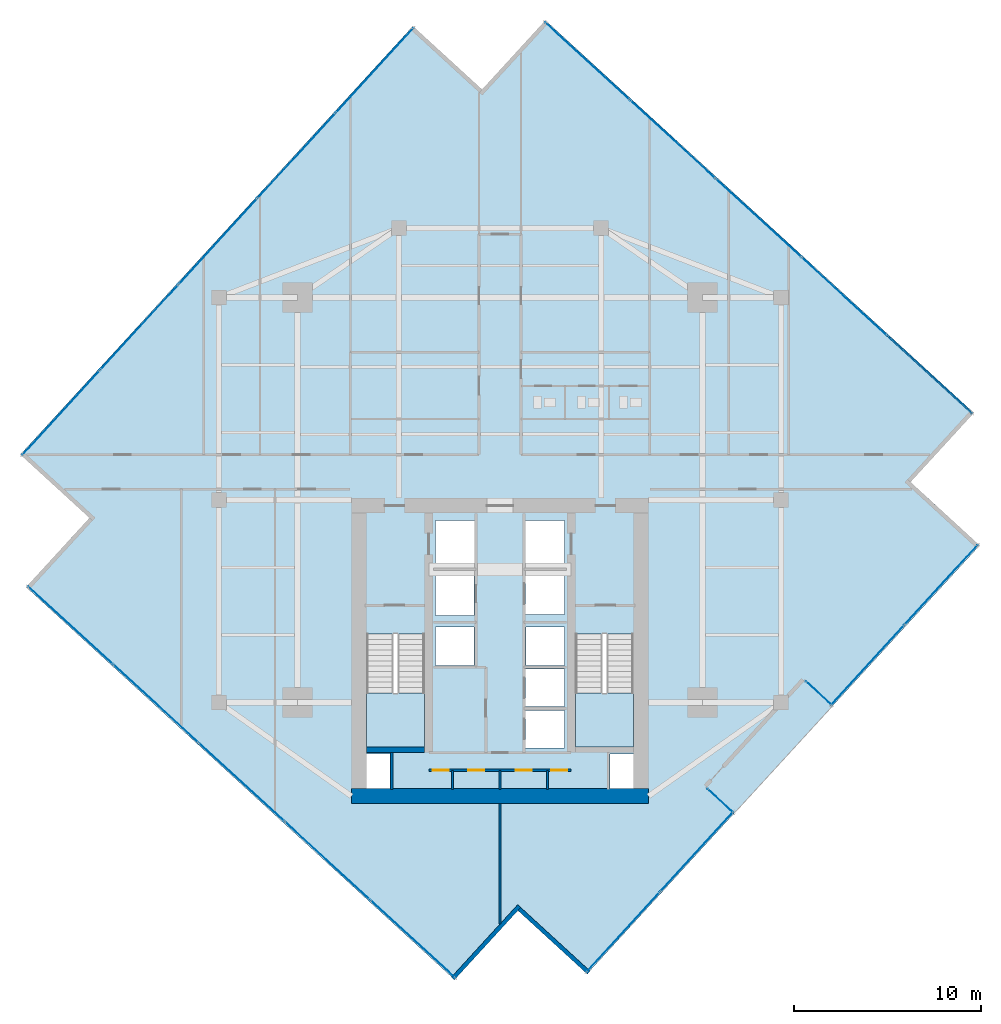
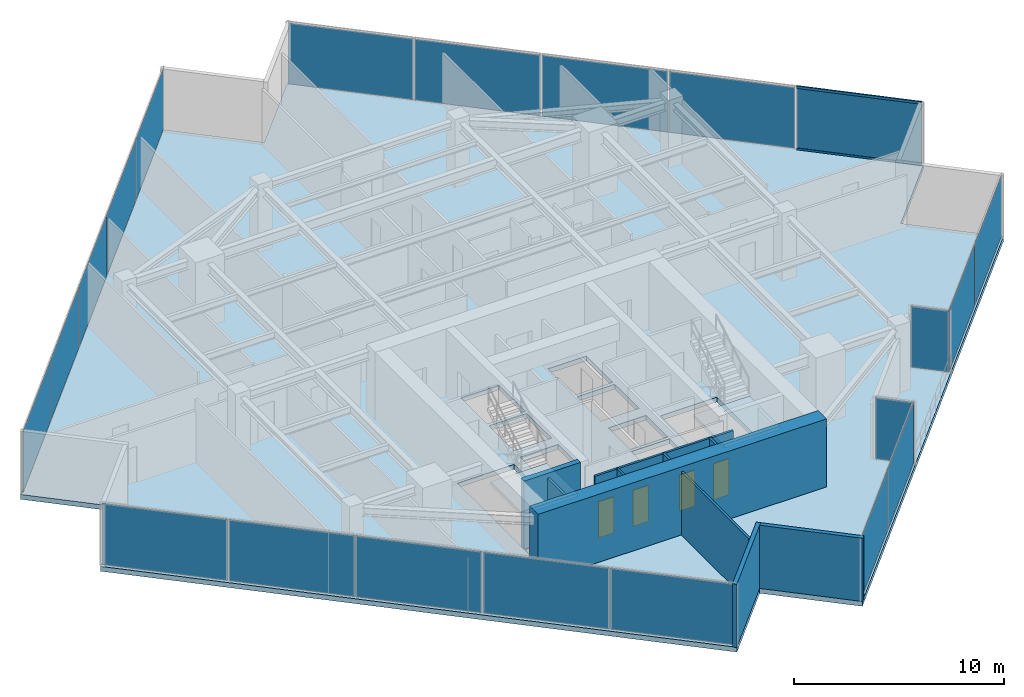
# One storey, part 21 of 26: 21 plates, 10 walls, 4 doors, 3 slabs, 2 members, 4 openings, 9 elements without a shape of their own.
"""IFC4 building model written with IfcOpenShell, lengths in metres."""

from ifc_helpers import new_model, si_unit, direction, frame, frame_2d, origin, origin_2d, place, context, subcontext, project, spatial, polyline, rectangle, hollow_rectangle, outline, extrude, source, transform, mapped, material, layer, layer_set, material_profile, profile_set, type_object, type_shapes, element, fill, aggregate, save


model = new_model("IFC4")

# Units and contexts
model_context = context("Model", 3, precision=1e-05, world=origin(), true_north=direction((0.0, 1.0)))
body_context = subcontext(model_context, "Body", "Model", "MODEL_VIEW")
ifc_project = project(units=[si_unit("LENGTHUNIT", "METRE"), si_unit("AREAUNIT", "SQUARE_METRE"), si_unit("VOLUMEUNIT", "CUBIC_METRE"), si_unit("PLANEANGLEUNIT", "RADIAN"), si_unit("MASSUNIT", "GRAM", prefix="KILO")], contexts=[model_context])

# Site, building, storey
site_placement = place(None, origin())
site = spatial("IfcSite", under=ifc_project, at=site_placement, CompositionType="ELEMENT")
building_placement = place(site_placement, origin())
building = spatial("IfcBuilding", under=site, at=building_placement, Name="Krantzveldt Concourse Tower", CompositionType="ELEMENT")
storey_placement = place(building_placement, frame((0.0, 0.0, 219.14990234375)))
storey = spatial("IfcBuildingStorey", under=building, at=storey_placement, Name="L53", CompositionType="ELEMENT", Elevation=219.14990234375)

# Curtain wall, members
ifc_material_1 = material(Name="Anodised aluminium 6063-T6", Category="aluminium")
curtain_wall_type_1 = type_object("IfcCurtainWallType", Name="CW3", PredefinedType="USERDEFINED", material=ifc_material_1)
curtain_wall_1_placement = place(storey_placement, origin())
curtain_wall_1 = element("IfcCurtainWall", 1, at=curtain_wall_1_placement, inside=storey, type_object=curtain_wall_type_1, Name="CW-L53-F14", ObjectType="UNITISED CURTAIN WALL", PredefinedType="USERDEFINED")
ifc_material_profile = material_profile(ifc_material_1, hollow_rectangle(XDim=0.070068359375, YDim=0.139892578125, WallThickness=0.0048828125, at=origin_2d()), Name="Anodised aluminium 6063-T6", Category="aluminium")
ifc_profile_set = profile_set([ifc_material_profile], Name="Anodised aluminium 6063-T6 - ALU-TRAN 140x70x5")
member_type = type_object("IfcMemberType", Name="CW-TRN-150", PredefinedType="USERDEFINED", material=ifc_profile_set)
shared_shape_1 = source(origin(), body_context, "Body", "SweptSolid", [
    extrude(hollow_rectangle(XDim=0.070068359375, YDim=0.139892578125, WallThickness=0.0048828125, at=origin_2d()), origin(), (0.0, 0.0, 1.0), 6.094970703125),
])
type_shapes(member_type, [shared_shape_1])
member_1_placement = place(storey_placement, frame((61.1650390625, 31.323486328125, 0.03515625), z_axis=(-0.737277168993, 0.675590390755, 0.0), x_axis=(-0.675590390755, -0.737277168993, 0.0)))
member_1 = element("IfcMember", 2, at=member_1_placement, type_object=member_type, Name="CW-Z34 transom 1.1", ObjectType="TRANSOM", PredefinedType="USERDEFINED", context=body_context, shape_type="MappedRepresentation", body=[
    mapped(shared_shape_1, transform((0.0, 0.0, 0.0), x_axis=(1.0, 0.0, 0.0), y_axis=(0.0, 1.0, 0.0), z_axis=(0.0, 0.0, 1.0), scale=1.0)),
])
member_2_placement = place(storey_placement, frame((61.1650390625, 31.323486328125, 3.635009765625), z_axis=(-0.737277168993, 0.675590390755, 0.0), x_axis=(-0.675590390755, -0.737277168993, 0.0)))
member_2 = element("IfcMember", 3, at=member_2_placement, type_object=member_type, Name="CW-Z34 transom 1.2", ObjectType="TRANSOM", PredefinedType="USERDEFINED", context=body_context, shape_type="MappedRepresentation", body=[
    mapped(shared_shape_1, transform((0.0, 0.0, 0.0), x_axis=(1.0, 0.0, 0.0), y_axis=(0.0, 1.0, 0.0), z_axis=(0.0, 0.0, 1.0), scale=1.0)),
])

# Stair, slab
ifc_material_2 = material(Name="Precast concrete C40/50", Category="concrete")
stair_type = type_object("IfcStairType", Name="STR-CORE-DOGLEG", PredefinedType="HALF_TURN_STAIR", material=ifc_material_2)
stair_1_placement = place(storey_placement, origin())
stair_1 = element("IfcStair", 4, at=stair_1_placement, inside=storey, type_object=stair_type, Name="L53 Protected Escape Stair ST-1", PredefinedType="HALF_TURN_STAIR")
ifc_layer_1 = layer(ifc_material_2, 0.199951171875, Name="Precast concrete C40/50", Category="concrete")
ifc_layer_set_1 = layer_set([ifc_layer_1], Name="Precast concrete C40/50 (SL-LANDING-200)")
slab_type_1 = type_object("IfcSlabType", Name="SL-LANDING-200", PredefinedType="LANDING", material=ifc_layer_set_1)
slab_1_placement = place(storey_placement, frame((0.0, 0.0, 1.775146484375)))
slab_1 = element("IfcSlab", 5, at=slab_1_placement, type_object=slab_type_1, Name="ST-1 landing 1", PredefinedType="LANDING", context=body_context, shape_type="SweptSolid", body=[
    extrude(outline(polyline([(28.8798828125, 16.4150390625), (28.8798828125, 13.52001953125), (31.97998046875, 13.52001953125), (31.97998046875, 16.4150390625), (28.8798828125, 16.4150390625)])), origin(), (0.0, 0.0, 1.0), 0.199951171875),
])
aggregate(stair_1, [slab_1])

stair_2_placement = place(storey_placement, origin())
stair_2 = element("IfcStair", 6, at=stair_2_placement, inside=storey, type_object=stair_type, Name="L53 Protected Escape Stair ST-2", PredefinedType="HALF_TURN_STAIR")
slab_2_placement = place(storey_placement, frame((0.0, 0.0, 1.775146484375)))
slab_2 = element("IfcSlab", 7, at=slab_2_placement, type_object=slab_type_1, Name="ST-2 landing 1", PredefinedType="LANDING", context=body_context, shape_type="SweptSolid", body=[
    extrude(outline(polyline([(40.02001953125, 16.4150390625), (40.02001953125, 13.52001953125), (43.1201171875, 13.52001953125), (43.1201171875, 16.4150390625), (40.02001953125, 16.4150390625)])), origin(), (0.0, 0.0, 1.0), 0.199951171875),
])
aggregate(stair_2, [slab_2])

# Slab
ifc_material_3 = material(Name="Concrete C40/50", Category="concrete")
ifc_layer_2 = layer(ifc_material_3, 0.280029296875, Name="Concrete C40/50", Category="concrete")
ifc_layer_set_2 = layer_set([ifc_layer_2], Name="Concrete C40/50 (SL-SL-TER280)")
slab_type_2 = type_object("IfcSlabType", Name="SL-SL-TER280", PredefinedType="FLOOR", material=ifc_layer_set_2)
slab_3_placement = place(storey_placement, frame((0.0, 0.0, -0.27978515625)))
element("IfcSlab", 8, at=slab_3_placement, inside=storey, type_object=slab_type_2, Name="SL-L53-MAIN", PredefinedType="FLOOR", context=body_context, shape_type="SweptSolid", body=[
    extrude(outline(polyline([(35.0439453125, 48.599365234375), (31.357421875, 51.977294921875), (10.4140625, 29.121826171875), (14.1005859375, 25.743896484375), (10.72265625, 22.057373046875), (33.578125, 1.1142578125), (36.9560546875, 4.800537109375), (40.642578125, 1.422607421875), (61.5859375, 24.2783203125), (57.8994140625, 27.65625), (61.27734375, 31.342529296875), (38.421875, 52.285888671875), (35.0439453125, 48.599365234375)]), holes=[polyline([(28.8798828125, 19.547607421875), (28.8798828125, 13.52001953125), (31.97998046875, 13.52001953125), (31.97998046875, 19.547607421875), (28.8798828125, 19.547607421875)]), polyline([(40.02001953125, 19.547607421875), (40.02001953125, 13.52001953125), (43.1201171875, 13.52001953125), (43.1201171875, 19.547607421875), (40.02001953125, 19.547607421875)]), polyline([(32.550048828125, 23.10009765625), (34.64990234375, 23.10009765625), (34.64990234375, 25.60009765625), (32.550048828125, 25.60009765625), (32.550048828125, 23.10009765625)]), polyline([(37.35009765625, 23.10009765625), (39.449951171875, 23.10009765625), (39.449951171875, 25.60009765625), (37.35009765625, 25.60009765625), (37.35009765625, 23.10009765625)]), polyline([(37.35009765625, 20.60009765625), (39.449951171875, 20.60009765625), (39.449951171875, 22.89990234375), (37.35009765625, 22.89990234375), (37.35009765625, 20.60009765625)]), polyline([(37.35009765625, 13.47998046875), (39.449951171875, 13.47998046875), (39.449951171875, 15.47998046875), (37.35009765625, 15.47998046875), (37.35009765625, 13.47998046875)]), polyline([(37.35009765625, 15.679931640625), (39.449951171875, 15.679931640625), (39.449951171875, 17.679931640625), (37.35009765625, 17.679931640625), (37.35009765625, 15.679931640625)]), polyline([(32.550048828125, 20.550048828125), (34.6201171875, 20.550048828125), (34.6201171875, 22.89990234375), (32.550048828125, 22.89990234375), (32.550048828125, 20.550048828125)]), polyline([(32.550048828125, 17.8798828125), (34.6201171875, 17.8798828125), (34.6201171875, 19.919921875), (32.550048828125, 19.919921875), (32.550048828125, 17.8798828125)]), polyline([(37.3798828125, 17.8798828125), (39.449951171875, 17.8798828125), (39.449951171875, 19.919921875), (37.3798828125, 19.919921875), (37.3798828125, 17.8798828125)]), polyline([(28.8798828125, 11.320068359375), (30.139892578125, 11.320068359375), (30.139892578125, 13.159912109375), (28.8798828125, 13.159912109375), (28.8798828125, 11.320068359375)]), polyline([(41.860107421875, 11.320068359375), (43.1201171875, 11.320068359375), (43.1201171875, 13.159912109375), (41.860107421875, 13.159912109375), (41.860107421875, 11.320068359375)])]), origin(), (0.0, 0.0, 1.0), 0.27978515625),
])

# Curtain wall, plate
curtain_wall_type_2 = type_object("IfcCurtainWallType", Name="CW6", PredefinedType="USERDEFINED", material=ifc_material_1)
curtain_wall_2_placement = place(storey_placement, origin())
curtain_wall_2 = element("IfcCurtainWall", 9, at=curtain_wall_2_placement, inside=storey, type_object=curtain_wall_type_2, Name="CW-L53-TR08", ObjectType="UNITISED CURTAIN WALL", PredefinedType="USERDEFINED")
ifc_material_4 = material(Name="Bronze-tinted laminated low-E IGU glass", Category="glass")
ifc_layer_3 = layer(ifc_material_4, 0.031982421875, Name="Bronze-tinted laminated low-E IGU glass", Category="glass")
ifc_layer_set_3 = layer_set([ifc_layer_3], Name="Bronze-tinted laminated low-E IGU glass (CW-GLZ-32)")
plate_type = type_object("IfcPlateType", Name="CW-GLZ-32", PredefinedType="CURTAIN_PANEL", material=ifc_layer_set_3)
shared_shape_2 = source(origin(), body_context, "Body", "SweptSolid", [
    extrude(rectangle(XDim=1.860107421875, YDim=0.031982421875, at=origin_2d()), origin(), (0.0, 0.0, 1.0), 3.530029296875),
])
plate_1_placement = place(storey_placement, frame((47.748779296875, 10.657958984375, 0.0703125), z_axis=(0.0, 0.0, 1.0), x_axis=(-0.737276373651, 0.675591258718, 0.0)))
plate_1 = element("IfcPlate", 10, at=plate_1_placement, type_object=plate_type, Name="CW-TERR panel 1.1", PredefinedType="CURTAIN_PANEL", context=body_context, shape_type="MappedRepresentation", body=[
    mapped(shared_shape_2, transform((0.0, 0.0, 0.0), x_axis=(1.0, 0.0, 0.0), y_axis=(0.0, 1.0, 0.0), z_axis=(0.0, 0.0, 1.0), scale=1.0)),
])
aggregate(curtain_wall_2, [plate_1])

curtain_wall_3_placement = place(storey_placement, origin())
curtain_wall_3 = element("IfcCurtainWall", 11, at=curtain_wall_3_placement, inside=storey, type_object=curtain_wall_type_2, Name="CW-L53-TR10", ObjectType="UNITISED CURTAIN WALL", PredefinedType="USERDEFINED")
plate_2_placement = place(storey_placement, frame((53.0048828125, 16.39404296875, 0.0703125), z_axis=(0.0, 0.0, 1.0), x_axis=(0.737276165275, -0.675591486119, 0.0)))
plate_2 = element("IfcPlate", 12, at=plate_2_placement, type_object=plate_type, Name="CW-TERR panel 1.1", PredefinedType="CURTAIN_PANEL", context=body_context, shape_type="MappedRepresentation", body=[
    mapped(shared_shape_2, transform((0.0, 0.0, 0.0), x_axis=(1.0, 0.0, 0.0), y_axis=(0.0, 1.0, 0.0), z_axis=(0.0, 0.0, 1.0), scale=1.0)),
])
aggregate(curtain_wall_3, [plate_2])

# Curtain wall, plates
curtain_wall_4_placement = place(storey_placement, origin())
curtain_wall_4 = element("IfcCurtainWall", 13, at=curtain_wall_4_placement, inside=storey, type_object=curtain_wall_type_1, Name="CW-L53-F01", ObjectType="UNITISED CURTAIN WALL", PredefinedType="USERDEFINED")
shared_shape_3 = source(origin(), body_context, "Body", "SweptSolid", [
    extrude(rectangle(XDim=6.094970703125, YDim=0.031982421875, at=origin_2d()), origin(), (0.0, 0.0, 1.0), 3.530029296875),
])
plate_3_placement = place(storey_placement, frame((29.317626953125, 49.6181640625, 0.0703125), z_axis=(0.0, 0.0, 1.0), x_axis=(-0.675590053651, -0.737277477893, 0.0)))
plate_3 = element("IfcPlate", 14, at=plate_3_placement, type_object=plate_type, Name="CW-Z34 panel 1.1", PredefinedType="CURTAIN_PANEL", context=body_context, shape_type="MappedRepresentation", body=[
    mapped(shared_shape_3, transform((0.0, 0.0, 0.0), x_axis=(1.0, 0.0, 0.0), y_axis=(0.0, 1.0, 0.0), z_axis=(0.0, 0.0, 1.0), scale=1.0)),
])
plate_4_placement = place(storey_placement, frame((12.586669921875, 31.359375, 0.0703125), z_axis=(0.0, 0.0, 1.0), x_axis=(-0.675590053651, -0.737277477893, 0.0)))
plate_4 = element("IfcPlate", 15, at=plate_4_placement, type_object=plate_type, Name="CW-Z34 panel 5.1", PredefinedType="CURTAIN_PANEL", context=body_context, shape_type="MappedRepresentation", body=[
    mapped(shared_shape_3, transform((0.0, 0.0, 0.0), x_axis=(1.0, 0.0, 0.0), y_axis=(0.0, 1.0, 0.0), z_axis=(0.0, 0.0, 1.0), scale=1.0)),
])

curtain_wall_5_placement = place(storey_placement, origin())
curtain_wall_5 = element("IfcCurtainWall", 16, at=curtain_wall_5_placement, inside=storey, type_object=curtain_wall_type_1, Name="CW-L53-F04", ObjectType="UNITISED CURTAIN WALL", PredefinedType="USERDEFINED")
plate_5_placement = place(storey_placement, frame((13.081787109375, 20.017578125, 0.0703125), z_axis=(0.0, 0.0, 1.0), x_axis=(0.737277477893, -0.675590053651, 0.0)))
plate_5 = element("IfcPlate", 17, at=plate_5_placement, type_object=plate_type, Name="CW-Z34 panel 1.1", PredefinedType="CURTAIN_PANEL", context=body_context, shape_type="MappedRepresentation", body=[
    mapped(shared_shape_3, transform((0.0, 0.0, 0.0), x_axis=(1.0, 0.0, 0.0), y_axis=(0.0, 1.0, 0.0), z_axis=(0.0, 0.0, 1.0), scale=1.0)),
])
plate_6_placement = place(storey_placement, frame((31.340576171875, 3.28662109375, 0.0703125), z_axis=(0.0, 0.0, 1.0), x_axis=(0.737277477893, -0.675590053651, 0.0)))
plate_6 = element("IfcPlate", 18, at=plate_6_placement, type_object=plate_type, Name="CW-Z34 panel 5.1", PredefinedType="CURTAIN_PANEL", context=body_context, shape_type="MappedRepresentation", body=[
    mapped(shared_shape_3, transform((0.0, 0.0, 0.0), x_axis=(1.0, 0.0, 0.0), y_axis=(0.0, 1.0, 0.0), z_axis=(0.0, 0.0, 1.0), scale=1.0)),
])

# Plate
plate_7_placement = place(storey_placement, frame((58.918212890625, 33.38232421875, 0.0703125), z_axis=(0.0, 0.0, 1.0), x_axis=(-0.737277477893, 0.675590053651, 0.0)))
plate_7 = element("IfcPlate", 19, at=plate_7_placement, type_object=plate_type, Name="CW-Z34 panel 1.1", PredefinedType="CURTAIN_PANEL", context=body_context, shape_type="MappedRepresentation", body=[
    mapped(shared_shape_3, transform((0.0, 0.0, 0.0), x_axis=(1.0, 0.0, 0.0), y_axis=(0.0, 1.0, 0.0), z_axis=(0.0, 0.0, 1.0), scale=1.0)),
])

plate_8_placement = place(storey_placement, frame((40.659423828125, 50.11328125, 0.0703125), z_axis=(0.0, 0.0, 1.0), x_axis=(-0.737277477893, 0.675590053651, 0.0)))
plate_8 = element("IfcPlate", 20, at=plate_8_placement, type_object=plate_type, Name="CW-Z34 panel 5.1", PredefinedType="CURTAIN_PANEL", context=body_context, shape_type="MappedRepresentation", body=[
    mapped(shared_shape_3, transform((0.0, 0.0, 0.0), x_axis=(1.0, 0.0, 0.0), y_axis=(0.0, 1.0, 0.0), z_axis=(0.0, 0.0, 1.0), scale=1.0)),
])

shared_shape_4 = source(origin(), body_context, "Body", "SweptSolid", [
    extrude(rectangle(XDim=6.1298828125, YDim=0.031982421875, at=origin_2d()), origin(), (0.0, 0.0, 1.0), 3.530029296875),
])
plate_9_placement = place(storey_placement, frame((25.140869140625, 45.059814453125, 0.0703125), z_axis=(0.0, 0.0, 1.0), x_axis=(-0.675590053651, -0.737277477893, 0.0)))
plate_9 = element("IfcPlate", 21, at=plate_9_placement, type_object=plate_type, Name="CW-Z34 panel 2.1", PredefinedType="CURTAIN_PANEL", context=body_context, shape_type="MappedRepresentation", body=[
    mapped(shared_shape_4, transform((0.0, 0.0, 0.0), x_axis=(1.0, 0.0, 0.0), y_axis=(0.0, 1.0, 0.0), z_axis=(0.0, 0.0, 1.0), scale=1.0)),
])

plate_10_placement = place(storey_placement, frame((20.9521484375, 40.48876953125, 0.0703125), z_axis=(0.0, 0.0, 1.0), x_axis=(-0.675590053651, -0.737277477893, 0.0)))
plate_10 = element("IfcPlate", 22, at=plate_10_placement, type_object=plate_type, Name="CW-Z34 panel 3.1", PredefinedType="CURTAIN_PANEL", context=body_context, shape_type="MappedRepresentation", body=[
    mapped(shared_shape_4, transform((0.0, 0.0, 0.0), x_axis=(1.0, 0.0, 0.0), y_axis=(0.0, 1.0, 0.0), z_axis=(0.0, 0.0, 1.0), scale=1.0)),
])

plate_11_placement = place(storey_placement, frame((16.763427734375, 35.917724609375, 0.0703125), z_axis=(0.0, 0.0, 1.0), x_axis=(-0.675590053651, -0.737277477893, 0.0)))
plate_11 = element("IfcPlate", 23, at=plate_11_placement, type_object=plate_type, Name="CW-Z34 panel 4.1", PredefinedType="CURTAIN_PANEL", context=body_context, shape_type="MappedRepresentation", body=[
    mapped(shared_shape_4, transform((0.0, 0.0, 0.0), x_axis=(1.0, 0.0, 0.0), y_axis=(0.0, 1.0, 0.0), z_axis=(0.0, 0.0, 1.0), scale=1.0)),
])

aggregate(curtain_wall_4, [plate_3, plate_9, plate_10, plate_11, plate_4])

plate_12_placement = place(storey_placement, frame((17.64013671875, 15.8408203125, 0.0703125), z_axis=(0.0, 0.0, 1.0), x_axis=(0.737277477893, -0.675590053651, 0.0)))
plate_12 = element("IfcPlate", 24, at=plate_12_placement, type_object=plate_type, Name="CW-Z34 panel 2.1", PredefinedType="CURTAIN_PANEL", context=body_context, shape_type="MappedRepresentation", body=[
    mapped(shared_shape_4, transform((0.0, 0.0, 0.0), x_axis=(1.0, 0.0, 0.0), y_axis=(0.0, 1.0, 0.0), z_axis=(0.0, 0.0, 1.0), scale=1.0)),
])

plate_13_placement = place(storey_placement, frame((22.211181640625, 11.652099609375, 0.0703125), z_axis=(0.0, 0.0, 1.0), x_axis=(0.737277477893, -0.675590053651, 0.0)))
plate_13 = element("IfcPlate", 25, at=plate_13_placement, type_object=plate_type, Name="CW-Z34 panel 3.1", PredefinedType="CURTAIN_PANEL", context=body_context, shape_type="MappedRepresentation", body=[
    mapped(shared_shape_4, transform((0.0, 0.0, 0.0), x_axis=(1.0, 0.0, 0.0), y_axis=(0.0, 1.0, 0.0), z_axis=(0.0, 0.0, 1.0), scale=1.0)),
])

plate_14_placement = place(storey_placement, frame((26.7822265625, 7.463623046875, 0.0703125), z_axis=(0.0, 0.0, 1.0), x_axis=(0.737277477893, -0.675590053651, 0.0)))
plate_14 = element("IfcPlate", 26, at=plate_14_placement, type_object=plate_type, Name="CW-Z34 panel 4.1", PredefinedType="CURTAIN_PANEL", context=body_context, shape_type="MappedRepresentation", body=[
    mapped(shared_shape_4, transform((0.0, 0.0, 0.0), x_axis=(1.0, 0.0, 0.0), y_axis=(0.0, 1.0, 0.0), z_axis=(0.0, 0.0, 1.0), scale=1.0)),
])

aggregate(curtain_wall_5, [plate_5, plate_12, plate_13, plate_14, plate_6])

plate_15_placement = place(storey_placement, frame((54.35986328125, 37.55908203125, 0.0703125), z_axis=(0.0, 0.0, 1.0), x_axis=(-0.737277477893, 0.675590053651, 0.0)))
plate_15 = element("IfcPlate", 27, at=plate_15_placement, type_object=plate_type, Name="CW-Z34 panel 2.1", PredefinedType="CURTAIN_PANEL", context=body_context, shape_type="MappedRepresentation", body=[
    mapped(shared_shape_4, transform((0.0, 0.0, 0.0), x_axis=(1.0, 0.0, 0.0), y_axis=(0.0, 1.0, 0.0), z_axis=(0.0, 0.0, 1.0), scale=1.0)),
])

plate_16_placement = place(storey_placement, frame((49.788818359375, 41.747802734375, 0.0703125), z_axis=(0.0, 0.0, 1.0), x_axis=(-0.737277477893, 0.675590053651, 0.0)))
plate_16 = element("IfcPlate", 28, at=plate_16_placement, type_object=plate_type, Name="CW-Z34 panel 3.1", PredefinedType="CURTAIN_PANEL", context=body_context, shape_type="MappedRepresentation", body=[
    mapped(shared_shape_4, transform((0.0, 0.0, 0.0), x_axis=(1.0, 0.0, 0.0), y_axis=(0.0, 1.0, 0.0), z_axis=(0.0, 0.0, 1.0), scale=1.0)),
])

plate_17_placement = place(storey_placement, frame((45.2177734375, 45.9365234375, 0.0703125), z_axis=(0.0, 0.0, 1.0), x_axis=(-0.737277477893, 0.675590053651, 0.0)))
plate_17 = element("IfcPlate", 29, at=plate_17_placement, type_object=plate_type, Name="CW-Z34 panel 4.1", PredefinedType="CURTAIN_PANEL", context=body_context, shape_type="MappedRepresentation", body=[
    mapped(shared_shape_4, transform((0.0, 0.0, 0.0), x_axis=(1.0, 0.0, 0.0), y_axis=(0.0, 1.0, 0.0), z_axis=(0.0, 0.0, 1.0), scale=1.0)),
])

aggregate(curtain_wall_1, [member_1, member_2, plate_7, plate_15, plate_16, plate_17, plate_8])

# Curtain wall, plates
curtain_wall_6_placement = place(storey_placement, origin())
curtain_wall_6 = element("IfcCurtainWall", 30, at=curtain_wall_6_placement, inside=storey, type_object=curtain_wall_type_1, Name="CW-L53-F07", ObjectType="UNITISED CURTAIN WALL", PredefinedType="USERDEFINED")
shared_shape_5 = source(origin(), body_context, "Body", "SweptSolid", [
    extrude(rectangle(XDim=5.7451171875, YDim=0.031982421875, at=origin_2d()), origin(), (0.0, 0.0, 1.0), 3.530029296875),
])
type_shapes(plate_type, [shared_shape_2, shared_shape_3, shared_shape_4, shared_shape_5])
plate_18_placement = place(storey_placement, frame((42.564208984375, 3.65283203125, 0.0703125), z_axis=(0.0, 0.0, 1.0), x_axis=(0.675589735736, 0.737277769208, 0.0)))
plate_18 = element("IfcPlate", 31, at=plate_18_placement, type_object=plate_type, Name="CW-Z34 panel 1.1", PredefinedType="CURTAIN_PANEL", context=body_context, shape_type="MappedRepresentation", body=[
    mapped(shared_shape_5, transform((0.0, 0.0, 0.0), x_axis=(1.0, 0.0, 0.0), y_axis=(0.0, 1.0, 0.0), z_axis=(0.0, 0.0, 1.0), scale=1.0)),
])
plate_19_placement = place(storey_placement, frame((46.49267578125, 7.940185546875, 0.0703125), z_axis=(0.0, 0.0, 1.0), x_axis=(0.675589735736, 0.737277769208, 0.0)))
plate_19 = element("IfcPlate", 32, at=plate_19_placement, type_object=plate_type, Name="CW-Z34 panel 2.1", PredefinedType="CURTAIN_PANEL", context=body_context, shape_type="MappedRepresentation", body=[
    mapped(shared_shape_5, transform((0.0, 0.0, 0.0), x_axis=(1.0, 0.0, 0.0), y_axis=(0.0, 1.0, 0.0), z_axis=(0.0, 0.0, 1.0), scale=1.0)),
])
aggregate(curtain_wall_6, [plate_18, plate_19])

curtain_wall_7_placement = place(storey_placement, origin())
curtain_wall_7 = element("IfcCurtainWall", 33, at=curtain_wall_7_placement, inside=storey, type_object=curtain_wall_type_1, Name="CW-L53-F11", ObjectType="UNITISED CURTAIN WALL", PredefinedType="USERDEFINED")
plate_20_placement = place(storey_placement, frame((55.60302734375, 17.88232421875, 0.0703125), z_axis=(0.0, 0.0, 1.0), x_axis=(0.675589735736, 0.737277769208, 0.0)))
plate_20 = element("IfcPlate", 34, at=plate_20_placement, type_object=plate_type, Name="CW-Z34 panel 1.1", PredefinedType="CURTAIN_PANEL", context=body_context, shape_type="MappedRepresentation", body=[
    mapped(shared_shape_5, transform((0.0, 0.0, 0.0), x_axis=(1.0, 0.0, 0.0), y_axis=(0.0, 1.0, 0.0), z_axis=(0.0, 0.0, 1.0), scale=1.0)),
])
plate_21_placement = place(storey_placement, frame((59.531494140625, 22.169677734375, 0.0703125), z_axis=(0.0, 0.0, 1.0), x_axis=(0.675589735736, 0.737277769208, 0.0)))
plate_21 = element("IfcPlate", 35, at=plate_21_placement, type_object=plate_type, Name="CW-Z34 panel 2.1", PredefinedType="CURTAIN_PANEL", context=body_context, shape_type="MappedRepresentation", body=[
    mapped(shared_shape_5, transform((0.0, 0.0, 0.0), x_axis=(1.0, 0.0, 0.0), y_axis=(0.0, 1.0, 0.0), z_axis=(0.0, 0.0, 1.0), scale=1.0)),
])
aggregate(curtain_wall_7, [plate_20, plate_21])

# Walls
ifc_layer_4 = layer(ifc_material_1, 0.219970703125, Name="Anodised aluminium 6063-T6", Category="aluminium")
ifc_layer_set_4 = layer_set([ifc_layer_4], Name="Anodised aluminium 6063-T6 (WL-EXT-NOTCH220)")
wall_type_1 = type_object("IfcWallType", Name="WL-EXT-NOTCH220", PredefinedType="ELEMENTEDWALL", material=ifc_layer_set_4)
wall_1_placement = place(storey_placement, frame((33.480224609375, 1.170166015625, 0.0), z_axis=(0.0, 0.0, 1.0), x_axis=(0.675596040677, 0.737271991752, 0.0)))
element("IfcWall", 36, at=wall_1_placement, inside=storey, type_object=wall_type_1, Name="EW-L53-NCH05", PredefinedType="ELEMENTEDWALL", context=body_context, shape_type="SweptSolid", body=[
    extrude(rectangle(XDim=5.244873046875, YDim=0.219970703125, at=frame_2d((2.62255859375, 0.0))), origin(), (0.0, 0.0, 1.0), 3.670166015625),
])
wall_2_placement = place(storey_placement, frame((37.030517578125, 4.881591796875, 0.0), z_axis=(0.0, 0.0, 1.0), x_axis=(0.737285215553, -0.675581609375, 0.0)))
element("IfcWall", 37, at=wall_2_placement, inside=storey, type_object=wall_type_1, Name="EW-L53-NCH06", PredefinedType="ELEMENTEDWALL", context=body_context, shape_type="SweptSolid", body=[
    extrude(rectangle(XDim=5.02490234375, YDim=0.219970703125, at=frame_2d((2.512451171875, 0.0))), origin(), (0.0, 0.0, 1.0), 3.670166015625),
])

# Wall, openings, doors
ifc_material_5 = material(Name="Fire-rated gypsum plasterboard on steel stud", Category="steel")
ifc_layer_5 = layer(ifc_material_5, 0.1201171875, Name="Fire-rated gypsum plasterboard on steel stud", Category="steel")
ifc_layer_set_5 = layer_set([ifc_layer_5], Name="Fire-rated gypsum plasterboard on steel stud (WL-PART-120)")
wall_type_2 = type_object("IfcWallType", Name="WL-PART-120", PredefinedType="PARTITIONING", material=ifc_layer_set_5)
wall_3_placement = place(storey_placement, frame((32.2099609375, 12.280029296875, 0.0), z_axis=(0.0, 0.0, 1.0), x_axis=(1.0, 0.0, 0.0)))
wall_3 = element("IfcWall", 38, at=wall_3_placement, inside=storey, type_object=wall_type_2, Name="WP-L53-CSD-HM", PredefinedType="PARTITIONING", context=body_context, shape_type="SweptSolid", body=[
    extrude(rectangle(XDim=7.580078125, YDim=0.1201171875, at=frame_2d((3.7900390625, 0.0))), origin(), (0.0, 0.0, 1.0), 3.670166015625),
])
opening_1_placement = place(wall_3_placement, frame((0.205078125, 0.0, 0.0)))
opening_1 = element("IfcOpeningElement", 39, at=opening_1_placement, cuts=wall_3, Name="Opening D-IN085", PredefinedType="OPENING", context=body_context, shape_type="SweptSolid", body=[
    extrude(rectangle(XDim=0.85009765625, YDim=2.10009765625, at=frame_2d((0.425048828125, 1.050048828125))), frame((0.0, 0.070068359375, 0.0), z_axis=(0.0, -1.0, 0.0), x_axis=(1.0, 0.0, 0.0)), (0.0, 0.0, 1.0), 0.14013671875),
])
opening_2_placement = place(wall_3_placement, frame((2.094970703125, 0.0, 0.0)))
opening_2 = element("IfcOpeningElement", 40, at=opening_2_placement, cuts=wall_3, Name="Opening D-IN085", PredefinedType="OPENING", context=body_context, shape_type="SweptSolid", body=[
    extrude(rectangle(XDim=0.85009765625, YDim=2.10009765625, at=frame_2d((0.425048828125, 1.050048828125))), frame((0.0, 0.070068359375, 0.0), z_axis=(0.0, -1.0, 0.0), x_axis=(1.0, 0.0, 0.0)), (0.0, 0.0, 1.0), 0.14013671875),
])
opening_3_placement = place(wall_3_placement, frame((4.635009765625, 0.0, 0.0)))
opening_3 = element("IfcOpeningElement", 41, at=opening_3_placement, cuts=wall_3, Name="Opening D-IN085", PredefinedType="OPENING", context=body_context, shape_type="SweptSolid", body=[
    extrude(rectangle(XDim=0.85009765625, YDim=2.10009765625, at=frame_2d((0.425048828125, 1.050048828125))), frame((0.0, 0.070068359375, 0.0), z_axis=(0.0, -1.0, 0.0), x_axis=(1.0, 0.0, 0.0)), (0.0, 0.0, 1.0), 0.14013671875),
])
opening_4_placement = place(wall_3_placement, frame((6.52490234375, 0.0, 0.0)))
opening_4 = element("IfcOpeningElement", 42, at=opening_4_placement, cuts=wall_3, Name="Opening D-IN085", PredefinedType="OPENING", context=body_context, shape_type="SweptSolid", body=[
    extrude(rectangle(XDim=0.85009765625, YDim=2.10009765625, at=frame_2d((0.425048828125, 1.050048828125))), frame((0.0, 0.070068359375, 0.0), z_axis=(0.0, -1.0, 0.0), x_axis=(1.0, 0.0, 0.0)), (0.0, 0.0, 1.0), 0.14013671875),
])
ifc_material_6 = material(Name="Hardwood timber", Category="wood")
door_type = type_object("IfcDoorType", Name="DR-INT-850", OperationType="SINGLE_SWING_LEFT", PredefinedType="DOOR", material=ifc_material_6)
door_1_placement = place(opening_1_placement, origin())
door_1 = element("IfcDoor", 43, at=door_1_placement, inside=storey, type_object=door_type, Name="DR-L53-CSD1", OperationType="SINGLE_SWING_RIGHT", OverallHeight=2.10009765625, OverallWidth=0.85009765625, PredefinedType="DOOR", context=body_context, shape_type="SweptSolid", body=[
    extrude(rectangle(XDim=0.85009765625, YDim=2.10009765625, at=frame_2d((0.425048828125, 1.050048828125))), frame((0.0, 0.02490234375, 0.0), z_axis=(0.0, -1.0, 0.0), x_axis=(1.0, 0.0, 0.0)), (0.0, 0.0, 1.0), 0.050048828125),
])
fill(opening_1, door_1)
door_2_placement = place(opening_2_placement, origin())
door_2 = element("IfcDoor", 44, at=door_2_placement, inside=storey, type_object=door_type, Name="DR-L53-CSD2", OperationType="SINGLE_SWING_RIGHT", OverallHeight=2.10009765625, OverallWidth=0.85009765625, PredefinedType="DOOR", context=body_context, shape_type="SweptSolid", body=[
    extrude(rectangle(XDim=0.85009765625, YDim=2.10009765625, at=frame_2d((0.425048828125, 1.050048828125))), frame((0.0, 0.02490234375, 0.0), z_axis=(0.0, -1.0, 0.0), x_axis=(1.0, 0.0, 0.0)), (0.0, 0.0, 1.0), 0.050048828125),
])
fill(opening_2, door_2)
door_3_placement = place(opening_3_placement, origin())
door_3 = element("IfcDoor", 45, at=door_3_placement, inside=storey, type_object=door_type, Name="DR-L53-CSD3", OperationType="SINGLE_SWING_RIGHT", OverallHeight=2.10009765625, OverallWidth=0.85009765625, PredefinedType="DOOR", context=body_context, shape_type="SweptSolid", body=[
    extrude(rectangle(XDim=0.85009765625, YDim=2.10009765625, at=frame_2d((0.425048828125, 1.050048828125))), frame((0.0, 0.02490234375, 0.0), z_axis=(0.0, -1.0, 0.0), x_axis=(1.0, 0.0, 0.0)), (0.0, 0.0, 1.0), 0.050048828125),
])
fill(opening_3, door_3)
door_4_placement = place(opening_4_placement, origin())
door_4 = element("IfcDoor", 46, at=door_4_placement, inside=storey, type_object=door_type, Name="DR-L53-CSD4", OperationType="SINGLE_SWING_RIGHT", OverallHeight=2.10009765625, OverallWidth=0.85009765625, PredefinedType="DOOR", context=body_context, shape_type="SweptSolid", body=[
    extrude(rectangle(XDim=0.85009765625, YDim=2.10009765625, at=frame_2d((0.425048828125, 1.050048828125))), frame((0.0, 0.02490234375, 0.0), z_axis=(0.0, -1.0, 0.0), x_axis=(1.0, 0.0, 0.0)), (0.0, 0.0, 1.0), 0.050048828125),
])
fill(opening_4, door_4)

# Walls
for number, where, z_axis, x_axis, name in (
    (47, (33.469970703125, 11.25, 0.0), (0.0, 0.0, 1.0), (0.0, 1.0, 0.0), "WP-L53-CSD-V1"),
    (48, (36.0, 11.25, 0.0), (0.0, 0.0, 1.0), (0.0, 1.0, 0.0), "WP-L53-CSD-V2"),
    (49, (38.530029296875, 11.25, 0.0), (0.0, 0.0, 1.0), (0.0, 1.0, 0.0), "WP-L53-CSD-V3"),
):
    element("IfcWall", number, at=place(storey_placement, frame(where, z_axis=z_axis, x_axis=x_axis)), inside=storey, type_object=wall_type_2, Name=name, PredefinedType="PARTITIONING", context=body_context, shape_type="SweptSolid", body=[
        extrude(rectangle(XDim=1.030029296875, YDim=0.1201171875, at=frame_2d((0.51513671875, 0.0))), origin(), (0.0, 0.0, 1.0), 3.670166015625),
    ])
wall_4_placement = place(storey_placement, frame((36.0, 4.090087890625, 0.0), z_axis=(0.0, 0.0, 1.0), x_axis=(0.0, 1.0, 0.0)))
element("IfcWall", 50, at=wall_4_placement, inside=storey, type_object=wall_type_2, Name="WP-L53-SMID", PredefinedType="PARTITIONING", context=body_context, shape_type="SweptSolid", body=[
    extrude(rectangle(XDim=6.409912109375, YDim=0.1201171875, at=frame_2d((3.205078125, 0.0))), origin(), (0.0, 0.0, 1.0), 3.670166015625),
])
ifc_layer_6 = layer(ifc_material_5, 0.139892578125, Name="Fire-rated gypsum plasterboard on steel stud", Category="steel")
ifc_layer_set_6 = layer_set([ifc_layer_6], Name="Fire-rated gypsum plasterboard on steel stud (WL-PART-FR140)")
wall_type_3 = type_object("IfcWallType", Name="WL-PART-FR140", PredefinedType="PARTITIONING", material=ifc_layer_set_6)
wall_5_placement = place(storey_placement, frame((30.219970703125, 11.25, 0.0), z_axis=(0.0, 0.0, 1.0), x_axis=(0.0, 1.0, 0.0)))
element("IfcWall", 51, at=wall_5_placement, inside=storey, type_object=wall_type_3, Name="WP-L53-RSW", PredefinedType="PARTITIONING", context=body_context, shape_type="SweptSolid", body=[
    extrude(rectangle(XDim=1.969970703125, YDim=0.1201171875, at=frame_2d((0.98486328125, 0.0))), origin(), (0.0, 0.0, 1.0), 3.670166015625),
])
ifc_material_7 = material(Name="Concrete C50/60", Category="concrete")
ifc_layer_7 = layer(ifc_material_7, 0.300048828125, Name="Concrete C50/60", Category="concrete")
ifc_layer_set_7 = layer_set([ifc_layer_7], Name="Concrete C50/60 (WL-SHEAR-300)")
wall_type_4 = type_object("IfcWallType", Name="WL-SHEAR-300", PredefinedType="SHEAR", material=ifc_layer_set_7)
wall_6_placement = place(storey_placement, frame((28.8798828125, 13.3701171875, 0.0), z_axis=(0.0, 0.0, 1.0), x_axis=(1.0, 0.0, 0.0)))
element("IfcWall", 52, at=wall_6_placement, inside=storey, type_object=wall_type_4, Name="CW-L53-ST1S", PredefinedType="SHEAR", context=body_context, shape_type="SweptSolid", body=[
    extrude(rectangle(XDim=3.10009765625, YDim=0.300048828125, at=frame_2d((1.550048828125, 0.0))), origin(), (0.0, 0.0, 1.0), 3.9501953125),
])
ifc_material_8 = material(Name="Concrete C60/75", Category="concrete")
ifc_layer_8 = layer(ifc_material_8, 0.800048828125, Name="Concrete C60/75", Category="concrete")
ifc_layer_set_8 = layer_set([ifc_layer_8], Name="Concrete C60/75 (WL-SHEAR-800)")
wall_type_5 = type_object("IfcWallType", Name="WL-SHEAR-800", PredefinedType="SHEAR", material=ifc_layer_set_8)
wall_7_placement = place(storey_placement, frame((28.080078125, 10.89990234375, 0.0), z_axis=(0.0, 0.0, 1.0), x_axis=(1.0, 0.0, 0.0)))
element("IfcWall", 53, at=wall_7_placement, inside=storey, type_object=wall_type_5, Name="CW-L53-S", PredefinedType="SHEAR", context=body_context, shape_type="SweptSolid", body=[
    extrude(rectangle(XDim=15.83984375, YDim=0.800048828125, at=frame_2d((7.919921875, 0.0))), origin(), (0.0, 0.0, 1.0), 3.9501953125),
])

save(model, "model.ifc")
